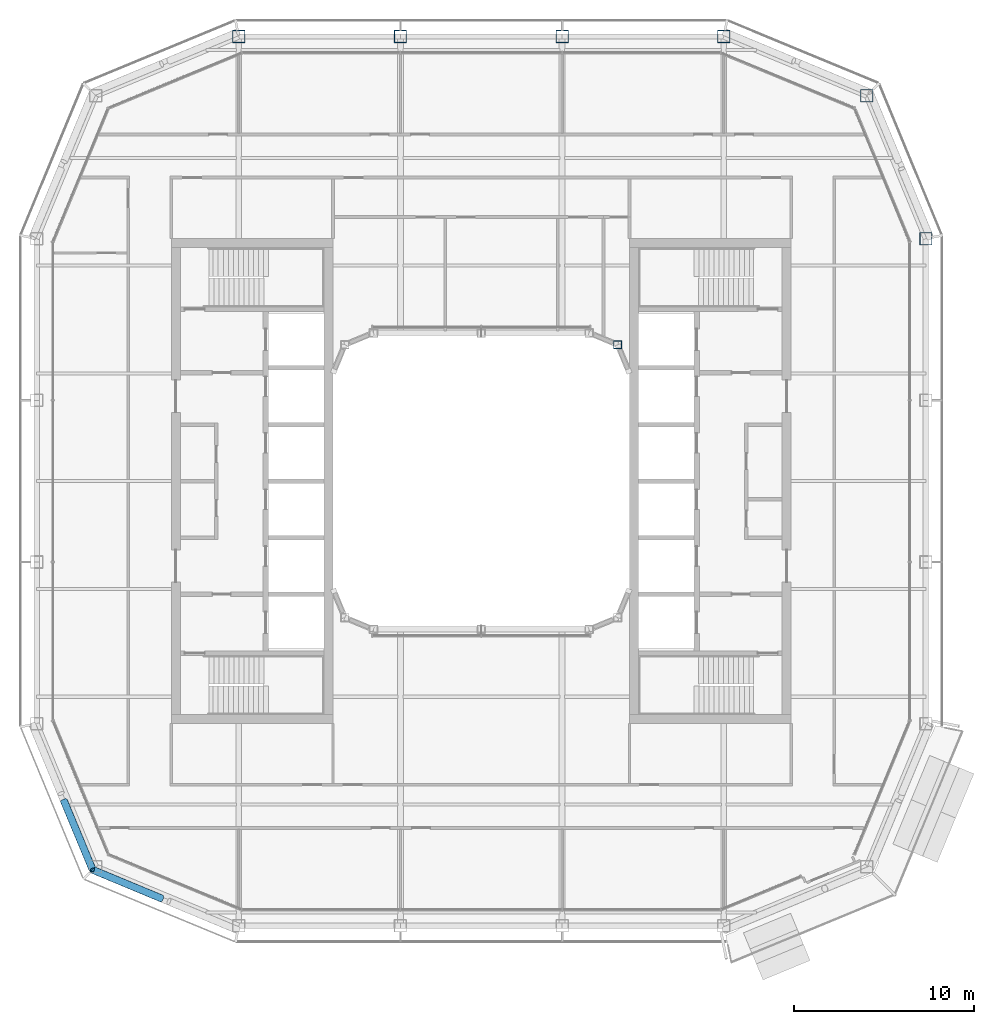
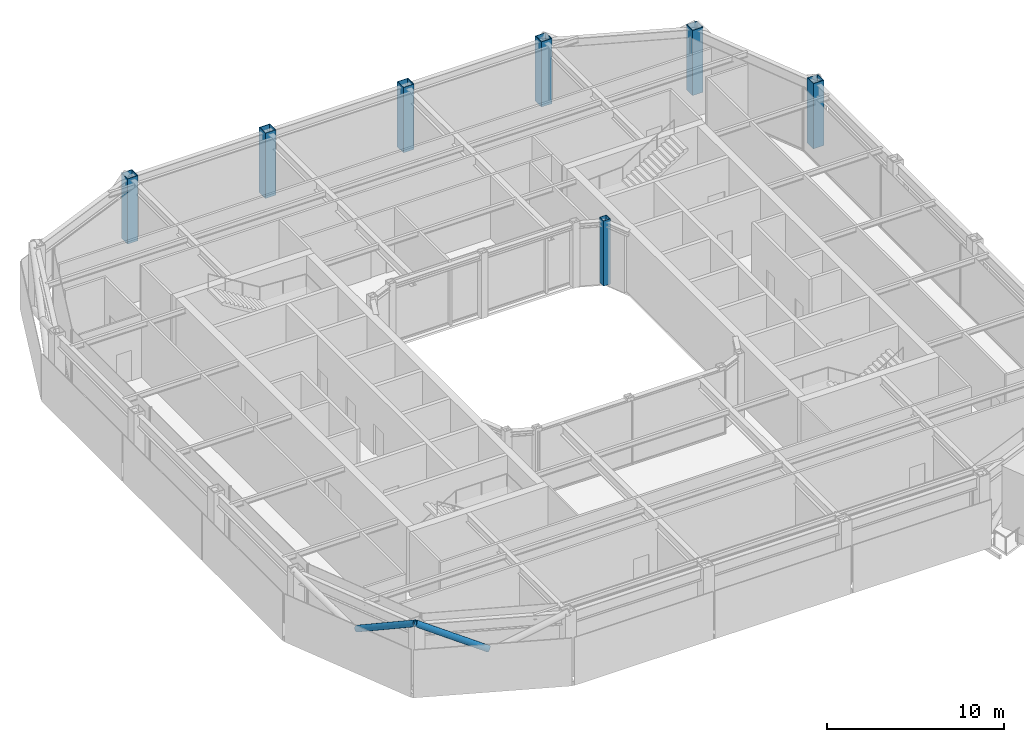
# One storey, part 2 of 21: 7 columns, 2 members.
"""IFC4 building model written with IfcOpenShell, lengths in metres."""

import ifcopenshell
import ifcopenshell.guid

model = None  # the IFC model being written
_history = None  # IfcOwnerHistory: only IFC2X3 demands one
_inside = {}  # id of a spatial element -> (the spatial element, [elements in it])
_under = {}  # id of a project, library or spatial element -> (it, [spatial elements below it])
_declared = {}  # id of a project -> (the project, [libraries it declares])
_typed = {}  # id of a type object -> (the type object, [elements of that type])
_made_of = {}  # id of a material, layer set ... -> (it, [elements and type objects made of it])


def new_model(schema):
    """Start an empty IFC model of exactly this schema.

    Asked for "IFC4X3", IfcOpenShell would pick the latest addendum, in which some entities
    have other attributes; the version numbers below select the first issue.
    IFC2X3 requires an IfcOwnerHistory on every rooted entity: one is made here for all.
    """
    global model, _history
    if schema == "IFC4X3":
        model = ifcopenshell.file(schema_version=(4, 3, 0, 0))
    else:
        model = ifcopenshell.file(schema=schema)
    _inside.clear()
    _under.clear()
    _declared.clear()
    _typed.clear()
    _made_of.clear()
    _history = None
    if model.schema == "IFC2X3":
        org = make("IfcOrganization", Name="unknown")
        user = make(
            "IfcPersonAndOrganization",
            ThePerson=make("IfcPerson", FamilyName="unknown"),
            TheOrganization=org,
        )
        app = make(
            "IfcApplication",
            ApplicationDeveloper=org,
            Version="unknown",
            ApplicationFullName="unknown",
            ApplicationIdentifier="unknown",
        )
        _history = make(
            "IfcOwnerHistory",
            OwningUser=user,
            OwningApplication=app,
            ChangeAction="ADDED",
            CreationDate=0,
        )
    return model


def make(cls, **values):
    """One entity of the class cls with the attributes given. An attribute that is None is left unset."""
    return model.create_entity(
        cls, **{name: value for name, value in values.items() if value is not None}
    )


def rooted(cls, **values):
    """An entity with a GlobalId (a new one), such as an element, a storey or a relation."""
    return make(cls, GlobalId=ifcopenshell.guid.new(), OwnerHistory=_history, **values)


def si_unit(unit_type, name, prefix=None):
    """IfcSIUnit, for example si_unit("LENGTHUNIT", "METRE", prefix="MILLI")."""
    return make("IfcSIUnit", UnitType=unit_type, Prefix=prefix, Name=name)


def assignment(units):
    """IfcUnitAssignment: the units of a project."""
    return None if units is None else make("IfcUnitAssignment", Units=units)


def point(xyz):
    """IfcCartesianPoint."""
    return None if xyz is None else make("IfcCartesianPoint", Coordinates=xyz)


def direction(xyz):
    """IfcDirection."""
    return None if xyz is None else make("IfcDirection", DirectionRatios=xyz)


def frame(location, z_axis=None, x_axis=None):
    """IfcAxis2Placement3D, a coordinate frame: its origin and axes. An axis left out is left unset."""
    return make(
        "IfcAxis2Placement3D",
        Location=point(location),
        Axis=direction(z_axis),
        RefDirection=direction(x_axis),
    )


def frame_2d(location, x_axis=None):
    """IfcAxis2Placement2D, a coordinate frame in the plane: its origin and x axis."""
    return make(
        "IfcAxis2Placement2D", Location=point(location), RefDirection=direction(x_axis)
    )


def origin():
    """The frame at (0, 0, 0) with its axes left unset."""
    return frame((0.0, 0.0, 0.0))


def origin_2d():
    """The frame at (0, 0) in the plane with its x axis left unset."""
    return frame_2d((0.0, 0.0))


def place(relative_to, where):
    """IfcLocalPlacement: puts the frame where relative to a parent placement (None: the world)."""
    return make(
        "IfcLocalPlacement", PlacementRelTo=relative_to, RelativePlacement=where
    )


def context(
    kind, dimensions, precision=None, world=None, true_north=None, identifier=None
):
    """IfcGeometricRepresentationContext, for example the 3D "Model" context."""
    return make(
        "IfcGeometricRepresentationContext",
        ContextIdentifier=identifier,
        ContextType=kind,
        CoordinateSpaceDimension=dimensions,
        Precision=precision,
        WorldCoordinateSystem=world,
        TrueNorth=true_north,
    )


def subcontext(parent, identifier, kind, view, scale=None):
    """IfcGeometricRepresentationSubContext, for example "Body" below "Model"."""
    return make(
        "IfcGeometricRepresentationSubContext",
        ContextIdentifier=identifier,
        ContextType=kind,
        ParentContext=parent,
        TargetScale=scale,
        TargetView=view,
    )


def project(units=None, contexts=None):
    """IfcProject with its units and contexts."""
    return rooted(
        "IfcProject",
        Name="project",
        RepresentationContexts=contexts,
        UnitsInContext=assignment(units),
    )


def spatial(cls, under=None, at=None, **own):
    """A site, building, storey or space (cls), placed at a placement, below another one or the project."""
    s = rooted(cls, ObjectPlacement=at, **own)
    if under is not None:
        _under.setdefault(under.id(), (under, []))[1].append(s)
    return s


def profile(cls, at=None, kind="AREA", **sizes):
    """A parametric profile (cls). Its sizes go by their IFC names, for example OverallWidth=200.0."""
    return make(cls, ProfileType=kind, Position=at, **sizes)


def hollow_rectangle(**sizes):
    """IfcRectangleHollowProfileDef."""
    return profile("IfcRectangleHollowProfileDef", **sizes)


def hollow_circle(**sizes):
    """IfcCircleHollowProfileDef."""
    return profile("IfcCircleHollowProfileDef", **sizes)


def extrude(swept, where, along, depth):
    """IfcExtrudedAreaSolid: the profile swept, set in the frame where, extruded along a direction by depth."""
    return make(
        "IfcExtrudedAreaSolid",
        SweptArea=swept,
        Position=where,
        ExtrudedDirection=direction(along),
        Depth=depth,
    )


def shape(context_of_items, identifier, shape_type, items):
    """IfcShapeRepresentation: the items that make up one representation, for example the "Body"."""
    return make(
        "IfcShapeRepresentation",
        ContextOfItems=context_of_items,
        RepresentationIdentifier=identifier,
        RepresentationType=shape_type,
        Items=items,
    )


def material(Name=None, Category=None):
    """IfcMaterial."""
    return make("IfcMaterial", Name=Name, Category=Category)


def material_profile(
    of_material, cross_section, Name=None, Category=None, Priority=None
):
    """IfcMaterialProfile: a cross section and its material."""
    return make(
        "IfcMaterialProfile",
        Name=Name,
        Material=of_material,
        Profile=cross_section,
        Priority=Priority,
        Category=Category,
    )


def profile_set(profiles, Name=None, composite=None):
    """IfcMaterialProfileSet."""
    return make(
        "IfcMaterialProfileSet",
        Name=Name,
        MaterialProfiles=profiles,
        CompositeProfile=composite,
    )


def made_of(thing, what):
    """Note that an element or type object is made of a material, layer set ...; save() writes the relation."""
    if what is not None:
        _made_of.setdefault(what.id(), (what, []))[1].append(thing)
    return thing


def type_object(cls, material=None, **own):
    """A type object (cls), such as IfcWallType, which elements share."""
    return made_of(rooted(cls, **own), material)


def element(
    cls,
    number,
    at=None,
    inside=None,
    cuts=None,
    type_object=None,
    material=None,
    context=None,
    identifier="Body",
    shape_type=None,
    held_by="IfcProductDefinitionShape",
    body=None,
    shapes=None,
    **own,
):
    """One element of the class cls, such as IfcWall. Its Tag is "e" and its number.

    at: its placement. inside: the storey or other place that contains it. cuts: it is an
    opening in that element (IfcRelVoidsElement). A single representation is given by context,
    identifier, shape_type and body (its items); several are given by shapes. held_by: the class
    of the entity that holds the representations. save() writes the other relations.
    """
    e = rooted(cls, Tag="e%d" % number, ObjectPlacement=at, **own)
    if body is not None:
        shapes = [shape(context, identifier, shape_type, body)]
    if shapes is not None:
        e.Representation = make(held_by, Representations=shapes)
    if inside is not None:
        _inside.setdefault(inside.id(), (inside, []))[1].append(e)
    if cuts is not None:
        rooted(
            "IfcRelVoidsElement", RelatingBuildingElement=cuts, RelatedOpeningElement=e
        )
    if type_object is not None:
        _typed.setdefault(type_object.id(), (type_object, []))[1].append(e)
    return made_of(e, material)


def aggregate(whole, parts):
    """IfcRelAggregates: a whole, such as a stair, and the parts it consists of."""
    return rooted("IfcRelAggregates", RelatingObject=whole, RelatedObjects=parts)


def save(model, path):
    """Write the relations noted so far, then the file.

    IfcRelAggregates (storeys below a building ...), IfcRelContainedInSpatialStructure (elements
    in a storey), IfcRelDefinesByType, IfcRelAssociatesMaterial and IfcRelDeclares: one each for
    every whole, place, type object, material and project.
    """
    for whole, parts in _under.values():
        aggregate(whole, parts)
    for where, things in _inside.values():
        rooted(
            "IfcRelContainedInSpatialStructure",
            RelatedElements=things,
            RelatingStructure=where,
        )
    for kind, things in _typed.values():
        rooted("IfcRelDefinesByType", RelatedObjects=things, RelatingType=kind)
    for what, things in _made_of.values():
        rooted("IfcRelAssociatesMaterial", RelatedObjects=things, RelatingMaterial=what)
    for by, libraries in _declared.values():
        rooted("IfcRelDeclares", RelatingContext=by, RelatedDefinitions=libraries)
    model.write(path)


model = new_model("IFC4")

# Units and contexts
model_context = context("Model", 3, precision=1e-05, world=origin(), true_north=direction((0.0, 1.0)))
body_context = subcontext(model_context, "Body", "Model", "MODEL_VIEW")
ifc_project = project(units=[si_unit("LENGTHUNIT", "METRE"), si_unit("AREAUNIT", "SQUARE_METRE"), si_unit("VOLUMEUNIT", "CUBIC_METRE"), si_unit("PLANEANGLEUNIT", "RADIAN"), si_unit("MASSUNIT", "GRAM", prefix="KILO")], contexts=[model_context])

# Site, building, storey
site_placement = place(None, origin())
site = spatial("IfcSite", under=ifc_project, at=site_placement, CompositionType="ELEMENT")
building_placement = place(site_placement, origin())
building = spatial("IfcBuilding", under=site, at=building_placement, Name="Siwar Civic Tower", CompositionType="ELEMENT")
storey_placement = place(building_placement, frame((0.0, 0.0, 339.199951171875)))
storey = spatial("IfcBuildingStorey", under=building, at=storey_placement, Name="L73", CompositionType="ELEMENT", Elevation=339.199951171875)

# Columns
ifc_material_1 = material(Name="Steel S355", Category="steel")
ifc_material_profile_1 = material_profile(ifc_material_1, hollow_rectangle(XDim=0.699951171875, YDim=0.699951171875, WallThickness=0.035888671875, at=origin_2d()), Name="BOX700x700x36")
ifc_profile_set_1 = profile_set([ifc_material_profile_1], Name="Steel S355")
column_type_1 = type_object("IfcColumnType", Name="STR-COL-BOX700x700x36", PredefinedType="COLUMN", material=ifc_profile_set_1)
for number, where, z_axis, x_axis, name in (
    (1, (24.75, 13.5, 0.0), (0.0, 0.0, 1.0), (1.0, 0.0, 0.0), "L73/col/NE1-0"),
    (2, (21.454833984375, 21.454833984375, 0.0), (0.0, 0.0, 1.0), (1.0, 0.0, 0.0), "L73/col/NE2-0"),
    (3, (13.5, 24.75, 0.0), (0.0, 0.0, 1.0), (1.0, 0.0, 0.0), "L73/col/N-0"),
    (4, (4.5, 24.75, 0.0), (0.0, 0.0, 1.0), (1.0, 0.0, 0.0), "L73/col/N-1"),
    (5, (-4.5, 24.75, 0.0), (0.0, 0.0, 1.0), (1.0, 0.0, 0.0), "L73/col/N-2"),
    (6, (-13.5, 24.75, 0.0), (0.0, 0.0, 1.0), (1.0, 0.0, 0.0), "L73/col/NW1-0"),
):
    element("IfcColumn", number, at=place(storey_placement, frame(where, z_axis=z_axis, x_axis=x_axis)), inside=storey, type_object=column_type_1, Name=name, PredefinedType="COLUMN", context=body_context, shape_type="SweptSolid", body=[
        extrude(hollow_rectangle(XDim=0.699951171875, YDim=0.699951171875, WallThickness=0.035888671875, at=origin_2d()), origin(), (0.0, 0.0, 1.0), 4.5),
    ])
ifc_material_2 = material(Name="Steel S355", Category="steel")
ifc_material_profile_2 = material_profile(ifc_material_2, hollow_rectangle(XDim=0.449951171875, YDim=0.449951171875, WallThickness=0.02197265625, at=origin_2d()), Name="BOX450x450x22")
ifc_profile_set_2 = profile_set([ifc_material_profile_2], Name="Steel S355")
column_type_2 = type_object("IfcColumnType", Name="STR-ICOL-BOX450x450x22", PredefinedType="COLUMN", material=ifc_profile_set_2)
column_placement = place(storey_placement, frame((7.591064453125, 7.591064453125, 0.0), z_axis=(0.0, 0.0, 1.0), x_axis=(1.0, 0.0, 0.0)))
element("IfcColumn", 7, at=column_placement, inside=storey, type_object=column_type_2, Name="L73/col/IN-4", PredefinedType="COLUMN", context=body_context, shape_type="SweptSolid", body=[
    extrude(hollow_rectangle(XDim=0.449951171875, YDim=0.449951171875, WallThickness=0.02197265625, at=origin_2d()), origin(), (0.0, 0.0, 1.0), 4.5),
])

# Members
ifc_material_3 = material(Name="Steel S355", Category="steel")
ifc_material_profile_3 = material_profile(ifc_material_3, hollow_circle(Radius=0.203125, WallThickness=0.01611328125, at=origin_2d()), Name="CHS406.4x16")
ifc_profile_set_3 = profile_set([ifc_material_profile_3], Name="Steel S355")
member_type = type_object("IfcMemberType", Name="STR-BR-CHS406.4x16", PredefinedType="BRACE", material=ifc_profile_set_3)
for number, where, z_axis, x_axis, name in (
    (8, (-17.791259765625, -23.229736328125, 2.362060546875), (-0.821166691915, 0.341652533125, 0.457120127208), (-0.38413607648, -0.923276488787, 0.0), "L73/brc/DSW1-12-0-3"),
    (9, (-23.229736328125, -17.791259765625, 2.362060546875), (0.341652533125, -0.821166691915, 0.457120127208), (0.923276488787, 0.38413607648, 0.0), "L73/brc/DSW1-12-0-5"),
):
    element("IfcMember", number, at=place(storey_placement, frame(where, z_axis=z_axis, x_axis=x_axis)), inside=storey, type_object=member_type, Name=name, PredefinedType="BRACE", context=body_context, shape_type="SweptSolid", body=[
        extrude(hollow_circle(Radius=0.203125, WallThickness=0.01611328125, at=origin_2d()), origin(), (0.0, 0.0, 1.0), 4.677001953125),
    ])

save(model, "model.ifc")
